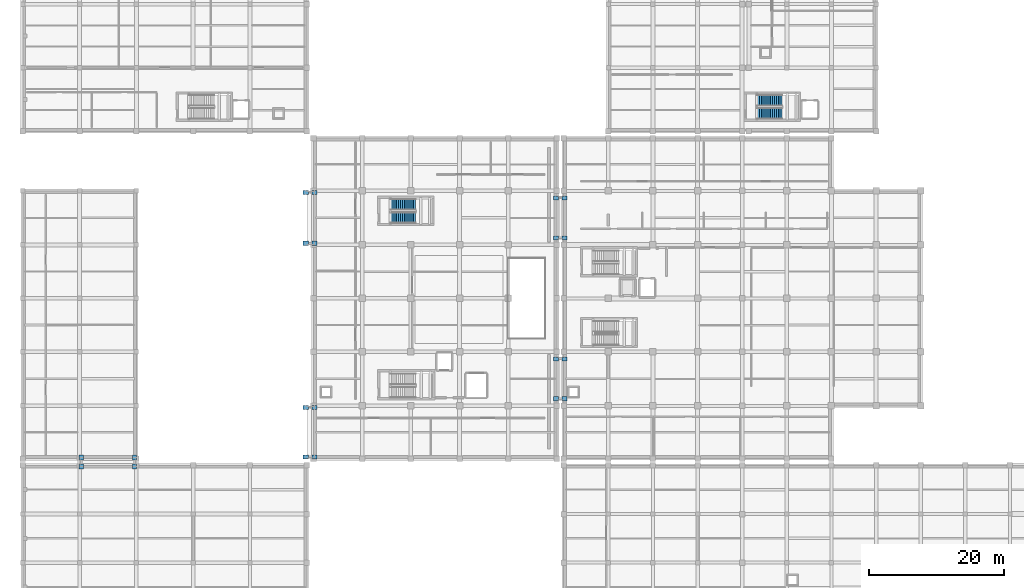
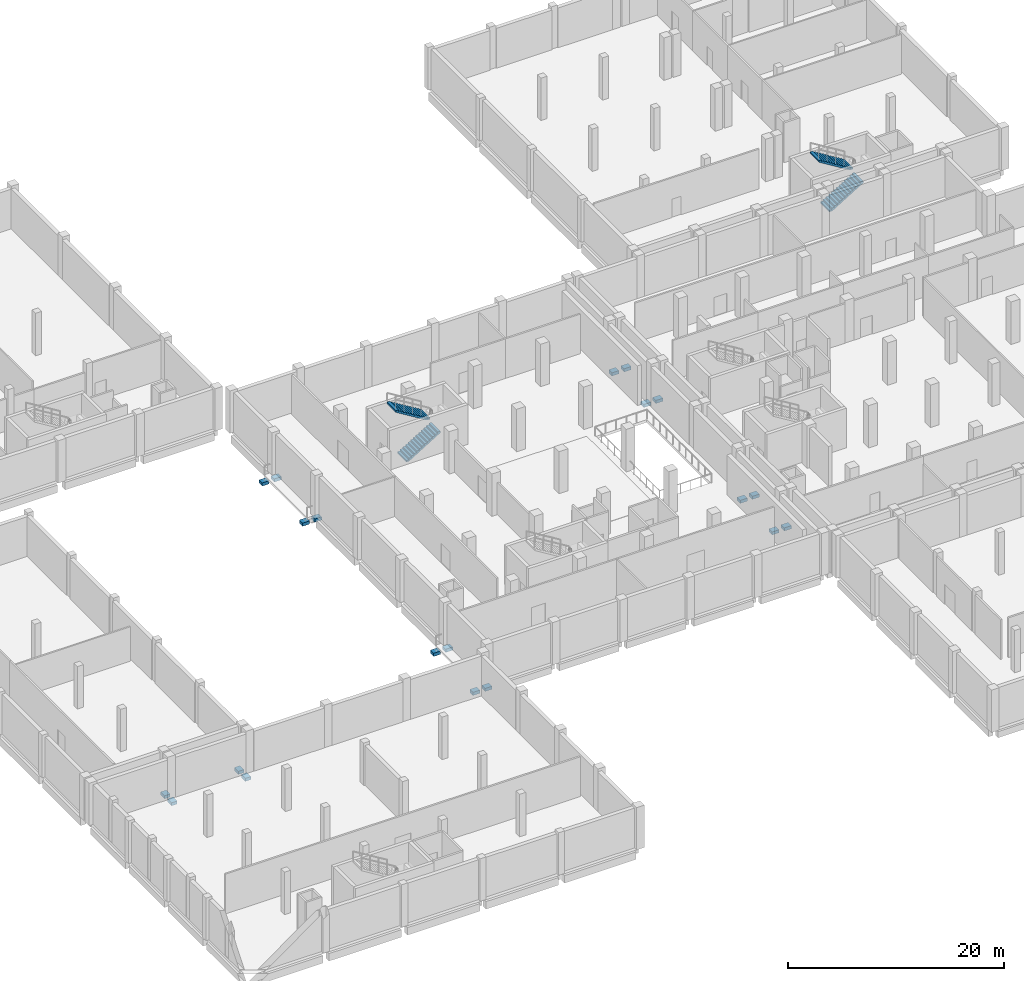
# One storey, part 20 of 31: 20 discrete accessories, 4 stair flights, 2 elements without a shape of their own.
"""IFC4 building model written with IfcOpenShell, lengths in metres."""

from ifc_helpers import new_model, si_unit, direction, frame, origin, origin_2d, place, context, subcontext, project, spatial, polyline, rectangle, outline, extrude, material, type_object, element, aggregate, save


model = new_model("IFC4")

# Units and contexts
model_context = context("Model", 3, precision=1e-05, world=origin(), true_north=direction((0.0, 1.0)))
body_context = subcontext(model_context, "Body", "Model", "MODEL_VIEW")
ifc_project = project(units=[si_unit("LENGTHUNIT", "METRE"), si_unit("AREAUNIT", "SQUARE_METRE"), si_unit("VOLUMEUNIT", "CUBIC_METRE"), si_unit("PLANEANGLEUNIT", "RADIAN"), si_unit("MASSUNIT", "GRAM", prefix="KILO")], contexts=[model_context])

# Site, building, storey
site_placement = place(None, origin())
site = spatial("IfcSite", under=ifc_project, at=site_placement, CompositionType="ELEMENT")
building_placement = place(site_placement, origin())
building = spatial("IfcBuilding", under=site, at=building_placement, Name="Kelarvand Opera House", CompositionType="ELEMENT")
storey_placement = place(building_placement, frame((0.0, 0.0, -4.800048828125)))
storey = spatial("IfcBuildingStorey", under=building, at=storey_placement, Name="B1", CompositionType="ELEMENT", Elevation=-4.800048828125)

# Stair, stair flights
ifc_material_1 = material(Name="Concrete C35/45", Category="concrete")
stair_type = type_object("IfcStairType", Name="Dogleg Concrete Exit Stair 1660mm 28R STA-01", PredefinedType="HALF_TURN_STAIR", material=ifc_material_1)
stair_1_placement = place(storey_placement, origin())
stair_1 = element("IfcStair", 1, at=stair_1_placement, inside=storey, type_object=stair_type, Name="B1 Fly Tower North Technical Core C3 Stair ST-03", PredefinedType="HALF_TURN_STAIR")
stair_flight_type = type_object("IfcStairFlightType", Name="Precast Stair Flight 1660mm 14x171mm STF-01", PredefinedType="STRAIGHT", material=ifc_material_1)
stair_flight_1_placement = place(storey_placement, frame((63.4599609375, 74.429931640625, 0.0), z_axis=(0.0, 0.0, 1.0), x_axis=(1.0, 0.0, 0.0)))
stair_flight_1 = element("IfcStairFlight", 2, at=stair_flight_1_placement, type_object=stair_flight_type, Name="ST-03 flight 1", NumberOfRisers=14, NumberOfTreads=13, PredefinedType="STRAIGHT", RiserHeight=0.171428571, TreadLength=0.28, context=body_context, shape_type="SweptSolid", body=[
    extrude(outline(polyline([(0.0, 0.0), (0.0, 0.17138671875), (0.280029296875, 0.17138671875), (0.280029296875, 0.3427734375), (0.56005859375, 0.3427734375), (0.56005859375, 0.514404296875), (0.840087890625, 0.514404296875), (0.840087890625, 0.685791015625), (1.1201171875, 0.685791015625), (1.1201171875, 0.857177734375), (1.39990234375, 0.857177734375), (1.39990234375, 1.028564453125), (1.679931640625, 1.028564453125), (1.679931640625, 1.199951171875), (1.9599609375, 1.199951171875), (1.9599609375, 1.371337890625), (2.239990234375, 1.371337890625), (2.239990234375, 1.54296875), (2.52001953125, 1.54296875), (2.52001953125, 1.71435546875), (2.800048828125, 1.71435546875), (2.800048828125, 1.8857421875), (3.080078125, 1.8857421875), (3.080078125, 2.05712890625), (3.360107421875, 2.05712890625), (3.360107421875, 2.228515625), (3.639892578125, 2.228515625), (3.639892578125, 2.39990234375), (3.639892578125, 2.041015625), (0.30615234375, 0.0), (0.0, 0.0)])), frame((0.0, 0.830078125, 0.0), z_axis=(0.0, -1.0, 0.0), x_axis=(1.0, 0.0, 0.0)), (0.0, 0.0, 1.0), 1.659912109375),
])
stair_flight_2_placement = place(storey_placement, frame((67.10009765625, 76.3701171875, 2.400146484375), z_axis=(0.0, 0.0, 1.0), x_axis=(-1.0, 0.0, 0.0)))
stair_flight_2 = element("IfcStairFlight", 3, at=stair_flight_2_placement, type_object=stair_flight_type, Name="ST-03 flight 2", NumberOfRisers=14, NumberOfTreads=13, PredefinedType="STRAIGHT", RiserHeight=0.171428571, TreadLength=0.28, context=body_context, shape_type="SweptSolid", body=[
    extrude(outline(polyline([(0.0, 0.0), (0.0, 0.17138671875), (0.280029296875, 0.17138671875), (0.280029296875, 0.3427734375), (0.56005859375, 0.3427734375), (0.56005859375, 0.514404296875), (0.840087890625, 0.514404296875), (0.840087890625, 0.685791015625), (1.1201171875, 0.685791015625), (1.1201171875, 0.857177734375), (1.39990234375, 0.857177734375), (1.39990234375, 1.028564453125), (1.679931640625, 1.028564453125), (1.679931640625, 1.199951171875), (1.9599609375, 1.199951171875), (1.9599609375, 1.371337890625), (2.239990234375, 1.371337890625), (2.239990234375, 1.54296875), (2.52001953125, 1.54296875), (2.52001953125, 1.71435546875), (2.800048828125, 1.71435546875), (2.800048828125, 1.8857421875), (3.080078125, 1.8857421875), (3.080078125, 2.05712890625), (3.360107421875, 2.05712890625), (3.360107421875, 2.228515625), (3.639892578125, 2.228515625), (3.639892578125, 2.39990234375), (3.639892578125, 2.041015625), (0.30615234375, 0.0), (0.0, 0.0)])), frame((0.0, 0.830078125, 0.0), z_axis=(0.0, -1.0, 0.0), x_axis=(1.0, 0.0, 0.0)), (0.0, 0.0, 1.0), 1.659912109375),
])
aggregate(stair_1, [stair_flight_1, stair_flight_2])

stair_2_placement = place(storey_placement, origin())
stair_2 = element("IfcStair", 4, at=stair_2_placement, inside=storey, type_object=stair_type, Name="B1 North Park Foyer Core C7 Stair ST-07", PredefinedType="HALF_TURN_STAIR")
stair_flight_3_placement = place(storey_placement, frame((117.659912109375, 89.830078125, 0.0), z_axis=(0.0, 0.0, 1.0), x_axis=(1.0, 0.0, 0.0)))
stair_flight_3 = element("IfcStairFlight", 5, at=stair_flight_3_placement, type_object=stair_flight_type, Name="ST-07 flight 1", NumberOfRisers=14, NumberOfTreads=13, PredefinedType="STRAIGHT", RiserHeight=0.171428571, TreadLength=0.28, context=body_context, shape_type="SweptSolid", body=[
    extrude(outline(polyline([(0.0, 0.0), (0.0, 0.17138671875), (0.280029296875, 0.17138671875), (0.280029296875, 0.3427734375), (0.56005859375, 0.3427734375), (0.56005859375, 0.514404296875), (0.840087890625, 0.514404296875), (0.840087890625, 0.685791015625), (1.1201171875, 0.685791015625), (1.1201171875, 0.857177734375), (1.39990234375, 0.857177734375), (1.39990234375, 1.028564453125), (1.679931640625, 1.028564453125), (1.679931640625, 1.199951171875), (1.9599609375, 1.199951171875), (1.9599609375, 1.371337890625), (2.239990234375, 1.371337890625), (2.239990234375, 1.54296875), (2.52001953125, 1.54296875), (2.52001953125, 1.71435546875), (2.800048828125, 1.71435546875), (2.800048828125, 1.8857421875), (3.080078125, 1.8857421875), (3.080078125, 2.05712890625), (3.360107421875, 2.05712890625), (3.360107421875, 2.228515625), (3.639892578125, 2.228515625), (3.639892578125, 2.39990234375), (3.639892578125, 2.041015625), (0.30615234375, 0.0), (0.0, 0.0)])), frame((0.0, 0.830078125, 0.0), z_axis=(0.0, -1.0, 0.0), x_axis=(1.0, 0.0, 0.0)), (0.0, 0.0, 1.0), 1.659912109375),
])
stair_flight_4_placement = place(storey_placement, frame((121.300048828125, 91.77001953125, 2.400146484375), z_axis=(0.0, 0.0, 1.0), x_axis=(-1.0, 0.0, 0.0)))
stair_flight_4 = element("IfcStairFlight", 6, at=stair_flight_4_placement, type_object=stair_flight_type, Name="ST-07 flight 2", NumberOfRisers=14, NumberOfTreads=13, PredefinedType="STRAIGHT", RiserHeight=0.171428571, TreadLength=0.28, context=body_context, shape_type="SweptSolid", body=[
    extrude(outline(polyline([(0.0, 0.0), (0.0, 0.17138671875), (0.280029296875, 0.17138671875), (0.280029296875, 0.3427734375), (0.56005859375, 0.3427734375), (0.56005859375, 0.514404296875), (0.840087890625, 0.514404296875), (0.840087890625, 0.685791015625), (1.1201171875, 0.685791015625), (1.1201171875, 0.857177734375), (1.39990234375, 0.857177734375), (1.39990234375, 1.028564453125), (1.679931640625, 1.028564453125), (1.679931640625, 1.199951171875), (1.9599609375, 1.199951171875), (1.9599609375, 1.371337890625), (2.239990234375, 1.371337890625), (2.239990234375, 1.54296875), (2.52001953125, 1.54296875), (2.52001953125, 1.71435546875), (2.800048828125, 1.71435546875), (2.800048828125, 1.8857421875), (3.080078125, 1.8857421875), (3.080078125, 2.05712890625), (3.360107421875, 2.05712890625), (3.360107421875, 2.228515625), (3.639892578125, 2.228515625), (3.639892578125, 2.39990234375), (3.639892578125, 2.041015625), (0.30615234375, 0.0), (0.0, 0.0)])), frame((0.0, 0.830078125, 0.0), z_axis=(0.0, -1.0, 0.0), x_axis=(1.0, 0.0, 0.0)), (0.0, 0.0, 1.0), 1.659912109375),
])
aggregate(stair_2, [stair_flight_3, stair_flight_4])

# Discrete accessories
ifc_material_2 = material(Name="Concrete C40/50", Category="concrete")
discrete_accessory_type = type_object("IfcDiscreteAccessoryType", Name="Seismic Bridge RC Corbel Seat 750mm with 250mm PTFE Sliding Bearing", PredefinedType="SHOE", material=ifc_material_2)
for number, where, z_axis, x_axis, name in (
    (7, (50.85009765625, 70.64990234375, -0.7548828125), (0.0, 0.0, 1.0), (1.0, 0.0, 0.0), "Seismic Bridge 750mm Corbel Seat & 250mm PTFE Bearing BR-JW-N B1 1.1"),
    (8, (52.14990234375, 70.64990234375, -0.7548828125), (0.0, 0.0, 1.0), (1.0, 0.0, 0.0), "Seismic Bridge 750mm Corbel Seat & 250mm PTFE Bearing BR-JW-N B1 1.2"),
    (9, (50.85009765625, 78.14990234375, -0.7548828125), (0.0, 0.0, 1.0), (1.0, 0.0, 0.0), "Seismic Bridge 750mm Corbel Seat & 250mm PTFE Bearing BR-JW-N B1 2.1"),
    (10, (52.14990234375, 78.14990234375, -0.7548828125), (0.0, 0.0, 1.0), (1.0, 0.0, 0.0), "Seismic Bridge 750mm Corbel Seat & 250mm PTFE Bearing BR-JW-N B1 2.2"),
    (11, (50.85009765625, 39.050048828125, -0.7548828125), (0.0, 0.0, 1.0), (1.0, 0.0, 0.0), "Seismic Bridge 750mm Corbel Seat & 250mm PTFE Bearing BR-JW-S B1 1.1"),
    (12, (52.14990234375, 39.050048828125, -0.7548828125), (0.0, 0.0, 1.0), (1.0, 0.0, 0.0), "Seismic Bridge 750mm Corbel Seat & 250mm PTFE Bearing BR-JW-S B1 1.2"),
    (13, (50.85009765625, 46.35009765625, -0.7548828125), (0.0, 0.0, 1.0), (1.0, 0.0, 0.0), "Seismic Bridge 750mm Corbel Seat & 250mm PTFE Bearing BR-JW-S B1 2.1"),
    (14, (52.14990234375, 46.35009765625, -0.7548828125), (0.0, 0.0, 1.0), (1.0, 0.0, 0.0), "Seismic Bridge 750mm Corbel Seat & 250mm PTFE Bearing BR-JW-S B1 2.2"),
    (15, (87.85009765625, 71.449951171875, -0.7548828125), (0.0, 0.0, 1.0), (1.0, 0.0, 0.0), "Seismic Bridge 750mm Corbel Seat & 250mm PTFE Bearing BR-JP-N B1 1.1"),
    (16, (89.14990234375, 71.449951171875, -0.7548828125), (0.0, 0.0, 1.0), (1.0, 0.0, 0.0), "Seismic Bridge 750mm Corbel Seat & 250mm PTFE Bearing BR-JP-N B1 1.2"),
    (17, (87.85009765625, 77.35009765625, -0.7548828125), (0.0, 0.0, 1.0), (1.0, 0.0, 0.0), "Seismic Bridge 750mm Corbel Seat & 250mm PTFE Bearing BR-JP-N B1 2.1"),
    (18, (89.14990234375, 77.35009765625, -0.7548828125), (0.0, 0.0, 1.0), (1.0, 0.0, 0.0), "Seismic Bridge 750mm Corbel Seat & 250mm PTFE Bearing BR-JP-N B1 2.2"),
    (19, (87.85009765625, 47.64990234375, -0.7548828125), (0.0, 0.0, 1.0), (1.0, 0.0, 0.0), "Seismic Bridge 750mm Corbel Seat & 250mm PTFE Bearing BR-JP-S B1 1.1"),
    (20, (89.14990234375, 47.64990234375, -0.7548828125), (0.0, 0.0, 1.0), (1.0, 0.0, 0.0), "Seismic Bridge 750mm Corbel Seat & 250mm PTFE Bearing BR-JP-S B1 1.2"),
    (21, (87.85009765625, 53.550048828125, -0.7548828125), (0.0, 0.0, 1.0), (1.0, 0.0, 0.0), "Seismic Bridge 750mm Corbel Seat & 250mm PTFE Bearing BR-JP-S B1 2.1"),
    (22, (89.14990234375, 53.550048828125, -0.7548828125), (0.0, 0.0, 1.0), (1.0, 0.0, 0.0), "Seismic Bridge 750mm Corbel Seat & 250mm PTFE Bearing BR-JP-S B1 2.2"),
    (23, (17.64990234375, 37.64990234375, -0.7548828125), (0.0, 0.0, 1.0), (0.0, 1.0, 0.0), "Seismic Bridge 750mm Corbel Seat & 250mm PTFE Bearing BR-JS-W B1 1.1"),
    (24, (17.64990234375, 38.949951171875, -0.7548828125), (0.0, 0.0, 1.0), (0.0, 1.0, 0.0), "Seismic Bridge 750mm Corbel Seat & 250mm PTFE Bearing BR-JS-W B1 1.2"),
    (25, (25.550048828125, 37.64990234375, -0.7548828125), (0.0, 0.0, 1.0), (0.0, 1.0, 0.0), "Seismic Bridge 750mm Corbel Seat & 250mm PTFE Bearing BR-JS-W B1 2.1"),
    (26, (25.550048828125, 38.949951171875, -0.7548828125), (0.0, 0.0, 1.0), (0.0, 1.0, 0.0), "Seismic Bridge 750mm Corbel Seat & 250mm PTFE Bearing BR-JS-W B1 2.2"),
):
    element("IfcDiscreteAccessory", number, at=place(storey_placement, frame(where, z_axis=z_axis, x_axis=x_axis)), inside=storey, type_object=discrete_accessory_type, Name=name, PredefinedType="SHOE", context=body_context, shape_type="SweptSolid", body=[
        extrude(rectangle(XDim=0.75, YDim=0.60009765625, at=origin_2d()), origin(), (0.0, 0.0, 1.0), 0.35009765625),
    ])

save(model, "model.ifc")
